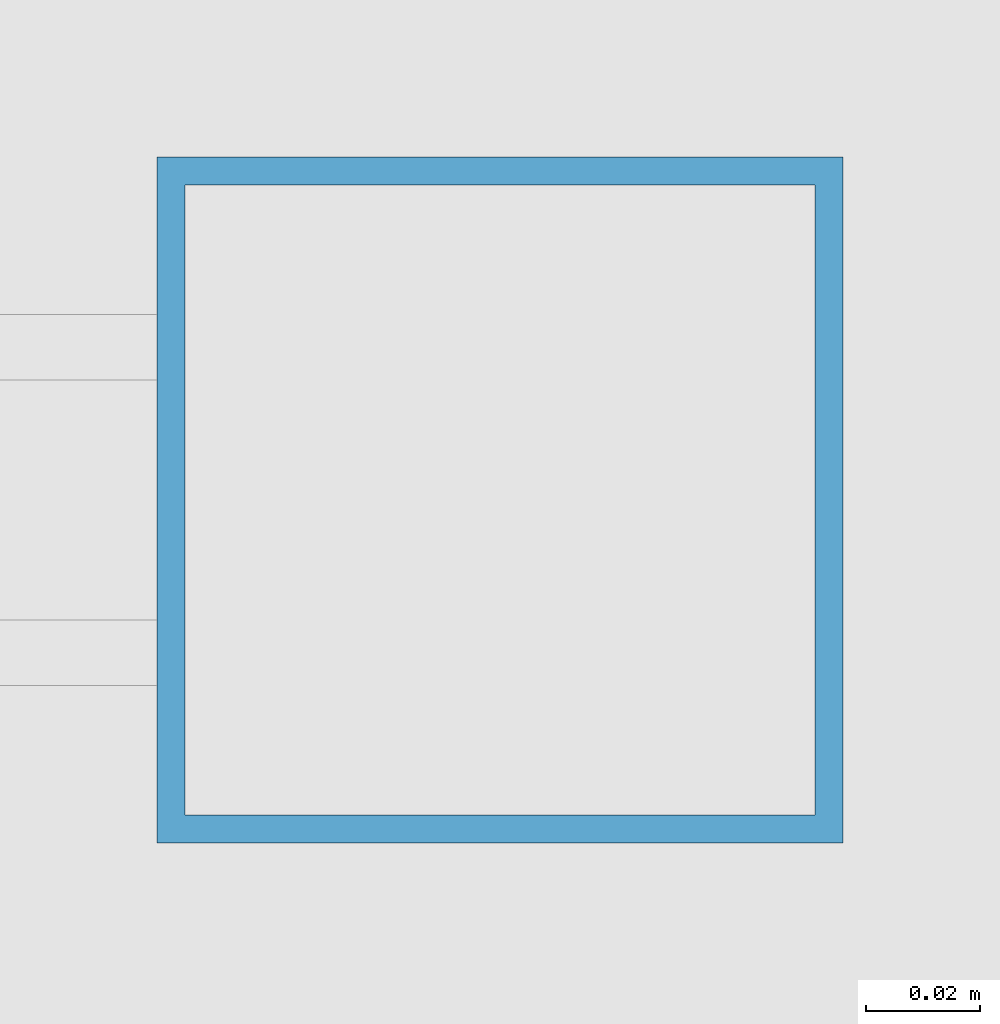
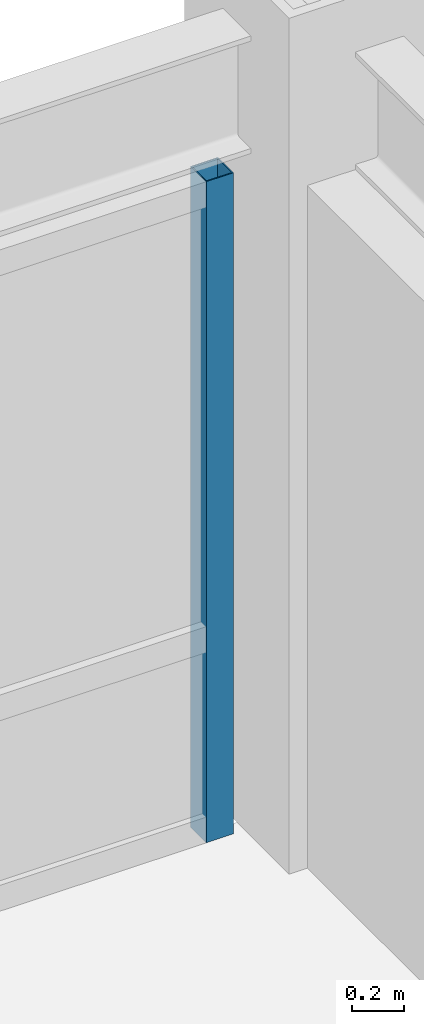
# One storey, part 22 of 28: 1 member, 1 element without a shape of its own.
"""IFC4 building model written with IfcOpenShell, lengths in metres."""

from ifc_helpers import new_model, si_unit, direction, frame, origin, origin_2d, place, context, subcontext, project, spatial, hollow_rectangle, extrude, source, transform, mapped, material, material_profile, profile_set, type_object, element, aggregate, save


model = new_model("IFC4")

# Units and contexts
model_context = context("Model", 3, precision=1e-05, world=origin(), true_north=direction((0.0, 1.0)))
body_context = subcontext(model_context, "Body", "Model", "MODEL_VIEW")
ifc_project = project(units=[si_unit("LENGTHUNIT", "METRE"), si_unit("AREAUNIT", "SQUARE_METRE"), si_unit("VOLUMEUNIT", "CUBIC_METRE"), si_unit("PLANEANGLEUNIT", "RADIAN"), si_unit("MASSUNIT", "GRAM", prefix="KILO")], contexts=[model_context])

# Site, building, storey
site_placement = place(None, origin())
site = spatial("IfcSite", under=ifc_project, at=site_placement, CompositionType="ELEMENT")
building_placement = place(site_placement, origin())
building = spatial("IfcBuilding", under=site, at=building_placement, Name="Khorayat Bourse Tower", CompositionType="ELEMENT")
storey_placement = place(building_placement, frame((0.0, 0.0, 330.300048828125)))
storey = spatial("IfcBuildingStorey", under=building, at=storey_placement, Name="L78", CompositionType="ELEMENT", Elevation=330.300048828125)

# Curtain wall, member
ifc_material = material(Name="Aluminium EN AW-6063 T6", Category="aluminium")
curtain_wall_type = type_object("IfcCurtainWallType", Name="CW-SYS-04", PredefinedType="NOTDEFINED", material=ifc_material)
curtain_wall_placement = place(storey_placement, origin())
curtain_wall = element("IfcCurtainWall", 1, at=curtain_wall_placement, inside=storey, type_object=curtain_wall_type, Name="L78 Curtain Wall CW-L78-N1", PredefinedType="NOTDEFINED")
ifc_material_profile = material_profile(ifc_material, hollow_rectangle(XDim=0.1201171875, YDim=0.1201171875, WallThickness=0.0048828125, at=origin_2d()), Name="ALU 120x120x5")
ifc_profile_set = profile_set([ifc_material_profile], Name="Aluminium EN AW-6063 T6")
member_type = type_object("IfcMemberType", Name="CWM-VERT-120", PredefinedType="MULLION", material=ifc_profile_set)
shared_shape = source(origin(), body_context, "Body", "SweptSolid", [
    extrude(hollow_rectangle(XDim=0.1201171875, YDim=0.1201171875, WallThickness=0.0048828125, at=origin_2d()), origin(), (0.0, 0.0, 1.0), 3.08984375),
])
member_placement = place(storey_placement, frame((19.489990234375, 26.0, 0.0), z_axis=(0.0, 0.0, 1.0), x_axis=(0.0, 1.0, 0.0)))
member = element("IfcMember", 2, at=member_placement, type_object=member_type, Name="CW-L78-N1 Vertical Mullion 3", PredefinedType="MULLION", context=body_context, shape_type="MappedRepresentation", body=[
    mapped(shared_shape, transform((0.0, 0.0, 0.0), scale=1.0)),
])
aggregate(curtain_wall, [member])

save(model, "model.ifc")
